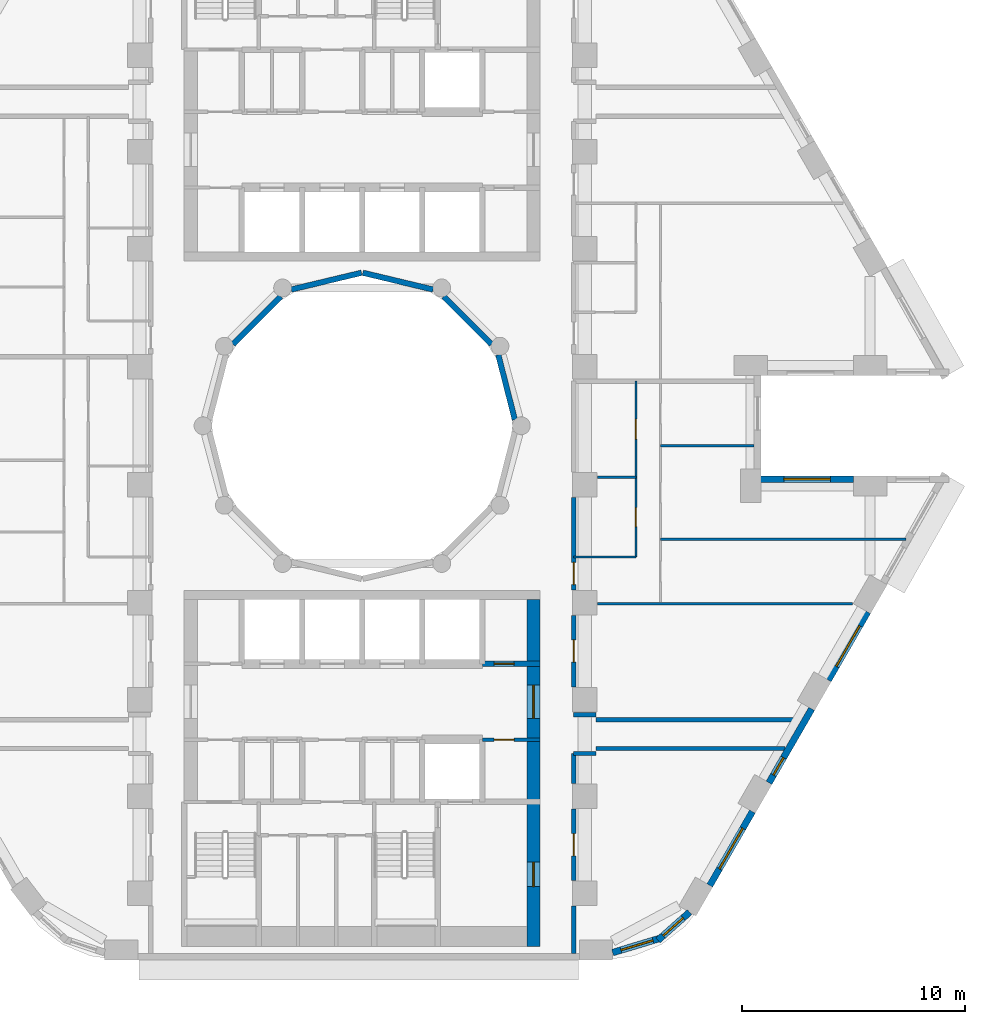
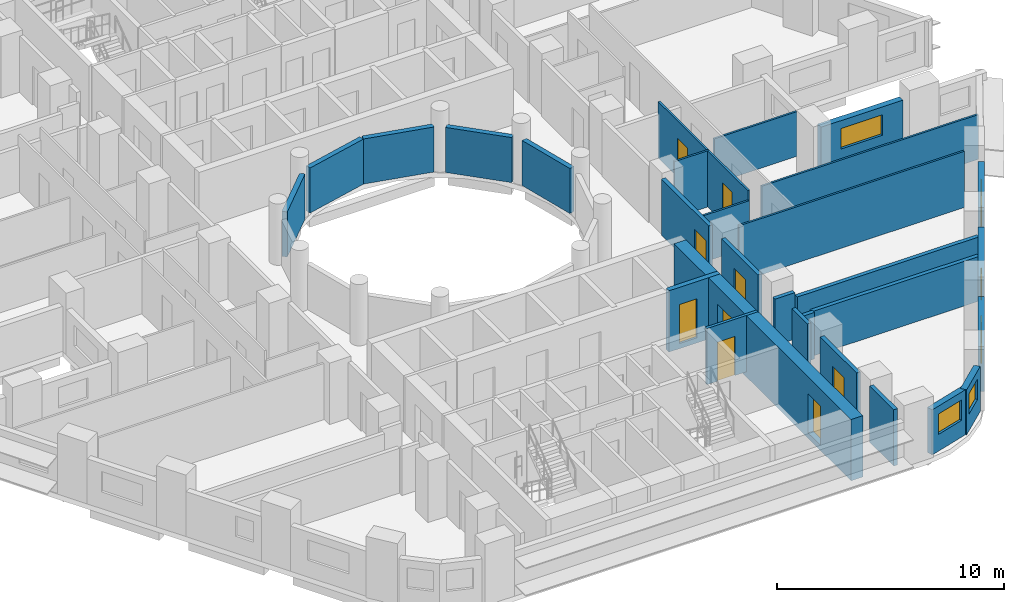
# One storey, part 5 of 13: 29 walls, 9 doors, 6 windows, 15 openings.
"""IFC4 building model written with IfcOpenShell, lengths in metres."""

from ifc_helpers import new_model, si_unit, direction, frame, frame_2d, origin, place, context, subcontext, project, spatial, rectangle, extrude, material, layer, layer_set, type_object, element, fill, save


model = new_model("IFC4")

# Units and contexts
model_context = context("Model", 3, precision=1e-05, world=origin(), true_north=direction((0.0, 1.0)))
body_context = subcontext(model_context, "Body", "Model", "MODEL_VIEW")
ifc_project = project(units=[si_unit("LENGTHUNIT", "METRE"), si_unit("AREAUNIT", "SQUARE_METRE"), si_unit("VOLUMEUNIT", "CUBIC_METRE"), si_unit("PLANEANGLEUNIT", "RADIAN"), si_unit("MASSUNIT", "GRAM", prefix="KILO")], contexts=[model_context])

# Site, building, storey
site_placement = place(None, origin())
site = spatial("IfcSite", under=ifc_project, at=site_placement, CompositionType="ELEMENT")
building_placement = place(site_placement, origin())
building = spatial("IfcBuilding", under=site, at=building_placement, Name="Nakaniwa Court", CompositionType="ELEMENT")
storey_placement = place(building_placement, frame((0.0, 0.0, 48.0)))
storey = spatial("IfcBuildingStorey", under=building, at=storey_placement, Name="L12", CompositionType="ELEMENT", Elevation=48.0)

# Wall
ifc_material_1 = material(Name="Acoustic double stud partition")
ifc_layer_1 = layer(ifc_material_1, 0.199951171875)
ifc_layer_set_1 = layer_set([ifc_layer_1], Name="Acoustic double stud partition")
wall_type_1 = type_object("IfcWallType", Name="Acoustic double stud partition 200", PredefinedType="PARTITIONING", material=ifc_layer_set_1)
wall_1_placement = place(storey_placement, frame((89.5, 56.300048828125, 0.0), z_axis=(0.0, 0.0, 1.0), x_axis=(0.0, 1.0, 0.0)))
element("IfcWall", 1, at=wall_1_placement, inside=storey, type_object=wall_type_1, Name="Partition PW-073", PredefinedType="PARTITIONING", context=body_context, shape_type="SweptSolid", body=[
    extrude(rectangle(XDim=2.133056640625, YDim=0.199951171875, at=frame_2d((1.06640625, 0.0))), origin(), (0.0, 0.0, 1.0), 3.02490234375),
])

# Wall, opening, door
wall_2_placement = place(storey_placement, frame((89.5, 62.782958984375, 0.0), z_axis=(0.0, 0.0, 1.0), x_axis=(0.0, -1.0, 0.0)))
wall_2 = element("IfcWall", 2, at=wall_2_placement, inside=storey, type_object=wall_type_1, Name="Partition PW-074", PredefinedType="PARTITIONING", context=body_context, shape_type="SweptSolid", body=[
    extrude(rectangle(XDim=3.216064453125, YDim=0.199951171875, at=frame_2d((1.60791015625, 0.0))), origin(), (0.0, 0.0, 1.0), 3.02490234375),
])
opening_1_placement = place(wall_2_placement, frame((1.10791015625, 0.0, 0.0)))
opening_1 = element("IfcOpeningElement", 3, at=opening_1_placement, cuts=wall_2, Name="Opening D-02-01", PredefinedType="OPENING", context=body_context, shape_type="SweptSolid", body=[
    extrude(rectangle(XDim=1.0, YDim=2.10009765625, at=frame_2d((0.5, 1.050048828125))), frame((0.0, 0.10986328125, 0.0), z_axis=(0.0, -1.0, 0.0), x_axis=(1.0, 0.0, 0.0)), (0.0, 0.0, 1.0), 0.219970703125),
])
ifc_material_2 = material(Name="Solid core timber door set, black veneer", Category="wood")
door_type_1 = type_object("IfcDoorType", Name="Internal door 1000", OperationType="NOTDEFINED", PredefinedType="DOOR", material=ifc_material_2)
door_1_placement = place(opening_1_placement, origin())
door_1 = element("IfcDoor", 4, at=door_1_placement, inside=storey, type_object=door_type_1, Name="Door D-02-01 L12-031", OperationType="SINGLE_SWING_RIGHT", OverallHeight=2.10009765625, OverallWidth=1.0, PredefinedType="DOOR", context=body_context, shape_type="SweptSolid", body=[
    extrude(rectangle(XDim=1.0, YDim=2.10009765625, at=frame_2d((0.5, 1.050048828125))), frame((0.0, 0.02490234375, 0.0), z_axis=(0.0, -1.0, 0.0), x_axis=(1.0, 0.0, 0.0)), (0.0, 0.0, 1.0), 0.050048828125),
])
fill(opening_1, door_1)

# Wall
wall_3_placement = place(storey_placement, frame((89.5, 63.9169921875, 0.0), z_axis=(0.0, 0.0, 1.0), x_axis=(0.0, 1.0, 0.0)))
element("IfcWall", 5, at=wall_3_placement, inside=storey, type_object=wall_type_1, Name="Partition PW-075", PredefinedType="PARTITIONING", context=body_context, shape_type="SweptSolid", body=[
    extrude(rectangle(XDim=1.361083984375, YDim=0.199951171875, at=frame_2d((0.6806640625, 0.0))), origin(), (0.0, 0.0, 1.0), 3.02490234375),
])

# Wall, opening, door
wall_4_placement = place(storey_placement, frame((89.5, 71.48291015625, 0.0), z_axis=(0.0, 0.0, 1.0), x_axis=(0.0, -1.0, 0.0)))
wall_4 = element("IfcWall", 6, at=wall_4_placement, inside=storey, type_object=wall_type_1, Name="Partition PW-076", PredefinedType="PARTITIONING", context=body_context, shape_type="SweptSolid", body=[
    extrude(rectangle(XDim=3.2158203125, YDim=0.199951171875, at=frame_2d((1.60791015625, 0.0))), origin(), (0.0, 0.0, 1.0), 3.02490234375),
])
opening_2_placement = place(wall_4_placement, frame((1.10791015625, 0.0, 0.0)))
opening_2 = element("IfcOpeningElement", 7, at=opening_2_placement, cuts=wall_4, Name="Opening D-02-05", PredefinedType="OPENING", context=body_context, shape_type="SweptSolid", body=[
    extrude(rectangle(XDim=1.0, YDim=2.10009765625, at=frame_2d((0.5, 1.050048828125))), frame((0.0, 0.10986328125, 0.0), z_axis=(0.0, -1.0, 0.0), x_axis=(1.0, 0.0, 0.0)), (0.0, 0.0, 1.0), 0.219970703125),
])
door_2_placement = place(opening_2_placement, origin())
door_2 = element("IfcDoor", 8, at=door_2_placement, inside=storey, type_object=door_type_1, Name="Door D-02-05 L12-057", OperationType="SINGLE_SWING_RIGHT", OverallHeight=2.10009765625, OverallWidth=1.0, PredefinedType="DOOR", context=body_context, shape_type="SweptSolid", body=[
    extrude(rectangle(XDim=1.0, YDim=2.10009765625, at=frame_2d((0.5, 1.050048828125))), frame((0.0, 0.02490234375, 0.0), z_axis=(0.0, -1.0, 0.0), x_axis=(1.0, 0.0, 0.0)), (0.0, 0.0, 1.0), 0.050048828125),
])
fill(opening_2, door_2)

wall_5_placement = place(storey_placement, frame((89.5, 76.782958984375, 0.0), z_axis=(0.0, 0.0, 1.0), x_axis=(0.0, -1.0, 0.0)))
wall_5 = element("IfcWall", 9, at=wall_5_placement, inside=storey, type_object=wall_type_1, Name="Partition PW-077", PredefinedType="PARTITIONING", context=body_context, shape_type="SweptSolid", body=[
    extrude(rectangle(XDim=4.166015625, YDim=0.199951171875, at=frame_2d((2.0830078125, 0.0))), origin(), (0.0, 0.0, 1.0), 3.02490234375),
])
opening_3_placement = place(wall_5_placement, frame((2.923095703125, 0.0, 0.0)))
opening_3 = element("IfcOpeningElement", 10, at=opening_3_placement, cuts=wall_5, Name="Opening D-01-01", PredefinedType="OPENING", context=body_context, shape_type="SweptSolid", body=[
    extrude(rectangle(XDim=1.0, YDim=2.10009765625, at=frame_2d((0.5, 1.050048828125))), frame((0.0, 0.10986328125, 0.0), z_axis=(0.0, -1.0, 0.0), x_axis=(1.0, 0.0, 0.0)), (0.0, 0.0, 1.0), 0.219970703125),
])
door_type_2 = type_object("IfcDoorType", Name="Flat entrance door 1000", OperationType="NOTDEFINED", PredefinedType="DOOR", material=ifc_material_2)
door_3_placement = place(opening_3_placement, origin())
door_3 = element("IfcDoor", 11, at=door_3_placement, inside=storey, type_object=door_type_2, Name="Door D-01-01 L12-032", OperationType="SINGLE_SWING_LEFT", OverallHeight=2.10009765625, OverallWidth=1.0, PredefinedType="DOOR", context=body_context, shape_type="SweptSolid", body=[
    extrude(rectangle(XDim=1.0, YDim=2.10009765625, at=frame_2d((0.5, 1.050048828125))), frame((0.0, 0.02490234375, 0.0), z_axis=(0.0, -1.0, 0.0), x_axis=(1.0, 0.0, 0.0)), (0.0, 0.0, 1.0), 0.050048828125),
])
fill(opening_3, door_3)

# Walls
wall_6_placement = place(storey_placement, frame((90.5, 65.5, 0.0), z_axis=(0.0, 0.0, 1.0), x_axis=(1.0, 0.0, 0.0)))
element("IfcWall", 12, at=wall_6_placement, inside=storey, type_object=wall_type_1, Name="Partition PW-094", PredefinedType="PARTITIONING", context=body_context, shape_type="SweptSolid", body=[
    extrude(rectangle(XDim=8.494873046875, YDim=0.199951171875, at=frame_2d((4.24755859375, 0.0))), origin(), (0.0, 0.0, 1.0), 2.405029296875),
])
for number, where, z_axis, x_axis, name in (
    (13, (89.5, 65.27490234375, 0.0), (0.0, 0.0, 1.0), (1.0, 0.0, 0.0), "Partition PW-096"),
    (14, (89.5, 67.02490234375, 0.0), (0.0, 0.0, 1.0), (1.0, 0.0, 0.0), "Partition PW-098"),
):
    element("IfcWall", number, at=place(storey_placement, frame(where, z_axis=z_axis, x_axis=x_axis)), inside=storey, type_object=wall_type_1, Name=name, PredefinedType="PARTITIONING", context=body_context, shape_type="SweptSolid", body=[
        extrude(rectangle(XDim=1.0, YDim=0.199951171875, at=frame_2d((0.5, 0.0))), origin(), (0.0, 0.0, 1.0), 2.5048828125),
    ])
wall_7_placement = place(storey_placement, frame((90.5, 66.800048828125, 0.0), z_axis=(0.0, 0.0, 1.0), x_axis=(1.0, 0.0, 0.0)))
element("IfcWall", 15, at=wall_7_placement, inside=storey, type_object=wall_type_1, Name="Partition PW-100", PredefinedType="PARTITIONING", context=body_context, shape_type="SweptSolid", body=[
    extrude(rectangle(XDim=9.245361328125, YDim=0.199951171875, at=frame_2d((4.62255859375, 0.0))), origin(), (0.0, 0.0, 1.0), 2.405029296875),
])

# Wall, opening, window
ifc_material_3 = material(Name="Charcoal ceramic cladding")
ifc_layer_2 = layer(ifc_material_3, 0.02, Name="Ceramic cladding")
ifc_material_4 = material(Name="Ventilated air cavity")
ifc_layer_3 = layer(ifc_material_4, 0.04, ventilated=True, Name="Ventilated cavity")
ifc_material_5 = material(Name="Mineral wool insulation")
ifc_layer_4 = layer(ifc_material_5, 0.1, Name="Insulation")
ifc_material_6 = material(Name="Cement bonded sheathing board")
ifc_layer_5 = layer(ifc_material_6, 0.012, Name="Sheathing")
ifc_material_7 = material(Name="Cold-formed galvanised stud frame with mineral wool infill")
ifc_layer_6 = layer(ifc_material_7, 0.1, Name="Stud frame")
ifc_material_8 = material(Name="Fire-rated gypsum plasterboard lining")
ifc_layer_7 = layer(ifc_material_8, 0.028, Name="Lining")
ifc_layer_set_2 = layer_set([ifc_layer_2, ifc_layer_3, ifc_layer_4, ifc_layer_5, ifc_layer_6, ifc_layer_7], Name="Charcoal ceramic faced external wall system")
wall_type_2 = type_object("IfcWallType", Name="Black ceramic faced external wall 300", PredefinedType="SOLIDWALL", material=ifc_layer_set_2)
wall_8_placement = place(storey_placement, frame((91.25341796875, 56.331298828125, 0.0), z_axis=(0.0, 0.0, 1.0), x_axis=(0.957433631901, 0.288653495569, 0.0)))
wall_8 = element("IfcWall", 16, at=wall_8_placement, inside=storey, type_object=wall_type_2, Name="L12 external wall 27", PredefinedType="SOLIDWALL", context=body_context, shape_type="SweptSolid", body=[
    extrude(rectangle(XDim=2.212646484375, YDim=0.300048828125, at=frame_2d((1.1064453125, 0.0))), origin(), (0.0, 0.0, 1.0), 2.425048828125),
])
opening_4_placement = place(wall_8_placement, frame((0.394287109375, 0.0, 0.89990234375)))
opening_4 = element("IfcOpeningElement", 17, at=opening_4_placement, cuts=wall_8, Name="Opening W5.26", PredefinedType="OPENING", context=body_context, shape_type="SweptSolid", body=[
    extrude(rectangle(XDim=1.5, YDim=1.10009765625, at=frame_2d((0.75, 0.550048828125))), frame((0.0, 0.159912109375, 0.0), z_axis=(0.0, -1.0, 0.0), x_axis=(1.0, 0.0, 0.0)), (0.0, 0.0, 1.0), 0.320068359375),
])
ifc_material_9 = material(Name="Black anodised aluminium frame with dark low-E laminated double glazing", Category="aluminium")
window_type_1 = type_object("IfcWindowType", Name="Dark glass window 1500x1100 sill 900", PartitioningType="SINGLE_PANEL", PredefinedType="WINDOW", material=ifc_material_9)
window_1_placement = place(opening_4_placement, origin())
window_1 = element("IfcWindow", 18, at=window_1_placement, inside=storey, type_object=window_type_1, Name="L12 habitable room window 27-0", OverallHeight=1.10009765625, OverallWidth=1.5, PartitioningType="SINGLE_PANEL", PredefinedType="WINDOW", context=body_context, shape_type="SweptSolid", body=[
    extrude(rectangle(XDim=1.5, YDim=1.10009765625, at=frame_2d((0.75, 0.550048828125))), frame((0.0, 0.030029296875, 0.0), z_axis=(0.0, -1.0, 0.0), x_axis=(1.0, 0.0, 0.0)), (0.0, 0.0, 1.0), 0.06005859375),
])
fill(opening_4, window_1)

wall_9_placement = place(storey_placement, frame((93.288818359375, 56.882568359375, 0.0), z_axis=(0.0, 0.0, 1.0), x_axis=(0.746941556212, 0.664889698825, 0.0)))
wall_9 = element("IfcWall", 19, at=wall_9_placement, inside=storey, type_object=wall_type_2, Name="L12 external wall 28", PredefinedType="SOLIDWALL", context=body_context, shape_type="SweptSolid", body=[
    extrude(rectangle(XDim=1.9013671875, YDim=0.300048828125, at=frame_2d((0.95068359375, 0.0))), origin(), (0.0, 0.0, 1.0), 2.425048828125),
])
opening_5_placement = place(wall_9_placement, frame((0.31005859375, 0.0, 0.89990234375)))
opening_5 = element("IfcOpeningElement", 20, at=opening_5_placement, cuts=wall_9, Name="Opening W6.27", PredefinedType="OPENING", context=body_context, shape_type="SweptSolid", body=[
    extrude(rectangle(XDim=1.199951171875, YDim=1.10009765625, at=frame_2d((0.60009765625, 0.550048828125))), frame((0.0, 0.159912109375, 0.0), z_axis=(0.0, -1.0, 0.0), x_axis=(1.0, 0.0, 0.0)), (0.0, 0.0, 1.0), 0.320068359375),
])
window_type_2 = type_object("IfcWindowType", Name="Dark glass window 1200x1100 sill 900", PartitioningType="SINGLE_PANEL", PredefinedType="WINDOW", material=ifc_material_9)
window_2_placement = place(opening_5_placement, origin())
window_2 = element("IfcWindow", 21, at=window_2_placement, inside=storey, type_object=window_type_2, Name="L12 habitable room window 28-0", OverallHeight=1.10009765625, OverallWidth=1.199951171875, PartitioningType="SINGLE_PANEL", PredefinedType="WINDOW", context=body_context, shape_type="SweptSolid", body=[
    extrude(rectangle(XDim=1.199951171875, YDim=1.10009765625, at=frame_2d((0.60009765625, 0.550048828125))), frame((0.0, 0.030029296875, 0.0), z_axis=(0.0, -1.0, 0.0), x_axis=(1.0, 0.0, 0.0)), (0.0, 0.0, 1.0), 0.06005859375),
])
fill(opening_5, window_2)

wall_10_placement = place(storey_placement, frame((95.615234375, 59.346435546875, 0.0), z_axis=(0.0, 0.0, 1.0), x_axis=(0.499974163209, 0.866040320149, 0.0)))
wall_10 = element("IfcWall", 22, at=wall_10_placement, inside=storey, type_object=wall_type_2, Name="L12 external wall 29", PredefinedType="SOLIDWALL", context=body_context, shape_type="SweptSolid", body=[
    extrude(rectangle(XDim=3.834228515625, YDim=0.300048828125, at=frame_2d((1.9169921875, 0.0))), origin(), (0.0, 0.0, 1.0), 2.425048828125),
])
opening_6_placement = place(wall_10_placement, frame((0.8671875, 0.0, 0.89990234375)))
opening_6 = element("IfcOpeningElement", 23, at=opening_6_placement, cuts=wall_10, Name="Opening W7.28", PredefinedType="OPENING", context=body_context, shape_type="SweptSolid", body=[
    extrude(rectangle(XDim=2.10009765625, YDim=1.10009765625, at=frame_2d((1.050048828125, 0.550048828125))), frame((0.0, 0.159912109375, 0.0), z_axis=(0.0, -1.0, 0.0), x_axis=(1.0, 0.0, 0.0)), (0.0, 0.0, 1.0), 0.320068359375),
])
window_type_3 = type_object("IfcWindowType", Name="Dark glass window 2100x1100 sill 900", PartitioningType="SINGLE_PANEL", PredefinedType="WINDOW", material=ifc_material_9)
window_3_placement = place(opening_6_placement, origin())
window_3 = element("IfcWindow", 24, at=window_3_placement, inside=storey, type_object=window_type_3, Name="L12 habitable room window 29-0", OverallHeight=1.10009765625, OverallWidth=2.10009765625, PartitioningType="SINGLE_PANEL", PredefinedType="WINDOW", context=body_context, shape_type="SweptSolid", body=[
    extrude(rectangle(XDim=2.10009765625, YDim=1.10009765625, at=frame_2d((1.050048828125, 0.550048828125))), frame((0.0, 0.030029296875, 0.0), z_axis=(0.0, -1.0, 0.0), x_axis=(1.0, 0.0, 0.0)), (0.0, 0.0, 1.0), 0.06005859375),
])
fill(opening_6, window_3)

wall_11_placement = place(storey_placement, frame((98.2783203125, 63.958984375, 0.0), z_axis=(0.0, 0.0, 1.0), x_axis=(0.500001735503, 0.866024401789, 0.0)))
wall_11 = element("IfcWall", 25, at=wall_11_placement, inside=storey, type_object=wall_type_2, Name="L12 external wall 30", PredefinedType="SOLIDWALL", context=body_context, shape_type="SweptSolid", body=[
    extrude(rectangle(XDim=3.833984375, YDim=0.300048828125, at=frame_2d((1.9169921875, 0.0))), origin(), (0.0, 0.0, 1.0), 2.425048828125),
])
opening_7_placement = place(wall_11_placement, frame((0.402587890625, 0.0, 0.89990234375)))
opening_7 = element("IfcOpeningElement", 26, at=opening_7_placement, cuts=wall_11, Name="Opening W9.29", PredefinedType="OPENING", context=body_context, shape_type="SweptSolid", body=[
    extrude(rectangle(XDim=0.89990234375, YDim=1.10009765625, at=frame_2d((0.449951171875, 0.550048828125))), frame((0.0, 0.159912109375, 0.0), z_axis=(0.0, -1.0, 0.0), x_axis=(1.0, 0.0, 0.0)), (0.0, 0.0, 1.0), 0.320068359375),
])
window_type_4 = type_object("IfcWindowType", Name="Dark glass window 900x1100 sill 900", PartitioningType="SINGLE_PANEL", PredefinedType="WINDOW", material=ifc_material_9)
window_4_placement = place(opening_7_placement, origin())
window_4 = element("IfcWindow", 27, at=window_4_placement, inside=storey, type_object=window_type_4, Name="L12 habitable room window 30-0", OverallHeight=1.10009765625, OverallWidth=0.89990234375, PartitioningType="SINGLE_PANEL", PredefinedType="WINDOW", context=body_context, shape_type="SweptSolid", body=[
    extrude(rectangle(XDim=0.89990234375, YDim=1.10009765625, at=frame_2d((0.449951171875, 0.550048828125))), frame((0.0, 0.030029296875, 0.0), z_axis=(0.0, -1.0, 0.0), x_axis=(1.0, 0.0, 0.0)), (0.0, 0.0, 1.0), 0.06005859375),
])
fill(opening_7, window_4)

wall_12_placement = place(storey_placement, frame((100.94140625, 68.5712890625, 0.0), z_axis=(0.0, 0.0, 1.0), x_axis=(0.499977402622, 0.866038449993, 0.0)))
wall_12 = element("IfcWall", 28, at=wall_12_placement, inside=storey, type_object=wall_type_2, Name="L12 external wall 31", PredefinedType="SOLIDWALL", context=body_context, shape_type="SweptSolid", body=[
    extrude(rectangle(XDim=3.536865234375, YDim=0.300048828125, at=frame_2d((1.7685546875, 0.0))), origin(), (0.0, 0.0, 1.0), 2.425048828125),
])
opening_8_placement = place(wall_12_placement, frame((0.718505859375, 0.0, 0.89990234375)))
opening_8 = element("IfcOpeningElement", 29, at=opening_8_placement, cuts=wall_12, Name="Opening W7.30", PredefinedType="OPENING", context=body_context, shape_type="SweptSolid", body=[
    extrude(rectangle(XDim=2.10009765625, YDim=1.10009765625, at=frame_2d((1.050048828125, 0.550048828125))), frame((0.0, 0.159912109375, 0.0), z_axis=(0.0, -1.0, 0.0), x_axis=(1.0, 0.0, 0.0)), (0.0, 0.0, 1.0), 0.320068359375),
])
window_5_placement = place(opening_8_placement, origin())
window_5 = element("IfcWindow", 30, at=window_5_placement, inside=storey, type_object=window_type_3, Name="L12 habitable room window 31-0", OverallHeight=1.10009765625, OverallWidth=2.10009765625, PartitioningType="SINGLE_PANEL", PredefinedType="WINDOW", context=body_context, shape_type="SweptSolid", body=[
    extrude(rectangle(XDim=2.10009765625, YDim=1.10009765625, at=frame_2d((1.050048828125, 0.550048828125))), frame((0.0, 0.030029296875, 0.0), z_axis=(0.0, -1.0, 0.0), x_axis=(1.0, 0.0, 0.0)), (0.0, 0.0, 1.0), 0.06005859375),
])
fill(opening_8, window_5)

wall_13_placement = place(storey_placement, frame((102.076904296875, 77.60009765625, 0.0), z_axis=(0.0, 0.0, 1.0), x_axis=(-1.0, 0.0, 0.0)))
wall_13 = element("IfcWall", 31, at=wall_13_placement, inside=storey, type_object=wall_type_2, Name="L12 external wall 34", PredefinedType="SOLIDWALL", context=body_context, shape_type="SweptSolid", body=[
    extrude(rectangle(XDim=4.172607421875, YDim=0.300048828125, at=frame_2d((2.08642578125, 0.0))), origin(), (0.0, 0.0, 1.0), 2.425048828125),
])
opening_9_placement = place(wall_13_placement, frame((1.036376953125, 0.0, 0.89990234375)))
opening_9 = element("IfcOpeningElement", 32, at=opening_9_placement, cuts=wall_13, Name="Opening W7.34", PredefinedType="OPENING", context=body_context, shape_type="SweptSolid", body=[
    extrude(rectangle(XDim=2.10009765625, YDim=1.10009765625, at=frame_2d((1.050048828125, 0.550048828125))), frame((0.0, 0.159912109375, 0.0), z_axis=(0.0, -1.0, 0.0), x_axis=(1.0, 0.0, 0.0)), (0.0, 0.0, 1.0), 0.320068359375),
])
window_6_placement = place(opening_9_placement, origin())
window_6 = element("IfcWindow", 33, at=window_6_placement, inside=storey, type_object=window_type_3, Name="L12 living window 34-0", OverallHeight=1.10009765625, OverallWidth=2.10009765625, PartitioningType="SINGLE_PANEL", PredefinedType="WINDOW", context=body_context, shape_type="SweptSolid", body=[
    extrude(rectangle(XDim=2.10009765625, YDim=1.10009765625, at=frame_2d((1.050048828125, 0.550048828125))), frame((0.0, 0.030029296875, 0.0), z_axis=(0.0, -1.0, 0.0), x_axis=(1.0, 0.0, 0.0)), (0.0, 0.0, 1.0), 0.06005859375),
])
fill(opening_9, window_6)

# Wall, opening, door
ifc_material_10 = material(Name="Blockwork partition", Category="masonry")
ifc_layer_8 = layer(ifc_material_10, 0.14990234375)
ifc_layer_set_3 = layer_set([ifc_layer_8], Name="Blockwork partition")
wall_type_3 = type_object("IfcWallType", Name="Blockwork partition 150", PredefinedType="PARTITIONING", material=ifc_layer_set_3)
wall_14_placement = place(storey_placement, frame((88.0, 65.89990234375, 0.0), z_axis=(0.0, 0.0, 1.0), x_axis=(-1.0, 0.0, 0.0)))
wall_14 = element("IfcWall", 34, at=wall_14_placement, inside=storey, type_object=wall_type_3, Name="Partition PW-054", PredefinedType="PARTITIONING", context=body_context, shape_type="SweptSolid", body=[
    extrude(rectangle(XDim=2.60302734375, YDim=0.14990234375, at=frame_2d((1.301513671875, 0.0))), origin(), (0.0, 0.0, 1.0), 3.02490234375),
])
opening_10_placement = place(wall_14_placement, frame((1.175048828125, 0.0, 0.0)))
opening_10 = element("IfcOpeningElement", 35, at=opening_10_placement, cuts=wall_14, Name="Opening D-05-17", PredefinedType="OPENING", context=body_context, shape_type="SweptSolid", body=[
    extrude(rectangle(XDim=0.89990234375, YDim=2.10009765625, at=frame_2d((0.449951171875, 1.050048828125))), frame((0.0, 0.0849609375, 0.0), z_axis=(0.0, -1.0, 0.0), x_axis=(1.0, 0.0, 0.0)), (0.0, 0.0, 1.0), 0.169921875),
])
ifc_material_11 = material(Name="Fire rated steel door set", Category="steel")
door_type_3 = type_object("IfcDoorType", Name="Service room door 900", OperationType="NOTDEFINED", PredefinedType="DOOR", material=ifc_material_11)
door_4_placement = place(opening_10_placement, origin())
door_4 = element("IfcDoor", 36, at=door_4_placement, inside=storey, type_object=door_type_3, Name="Door D-05-17 L12-024", OperationType="SINGLE_SWING_LEFT", OverallHeight=2.10009765625, OverallWidth=0.89990234375, PredefinedType="DOOR", context=body_context, shape_type="SweptSolid", body=[
    extrude(rectangle(XDim=0.89990234375, YDim=2.10009765625, at=frame_2d((0.449951171875, 1.050048828125))), frame((0.0, 0.02490234375, 0.0), z_axis=(0.0, -1.0, 0.0), x_axis=(1.0, 0.0, 0.0)), (0.0, 0.0, 1.0), 0.050048828125),
])
fill(opening_10, door_4)

# Walls
ifc_layer_9 = layer(ifc_material_3, 0.02, Name="Ceramic cladding")
ifc_layer_10 = layer(ifc_material_4, 0.04, ventilated=True, Name="Ventilated cavity")
ifc_layer_11 = layer(ifc_material_5, 0.075, Name="Insulation")
ifc_layer_12 = layer(ifc_material_6, 0.012, Name="Sheathing")
ifc_layer_13 = layer(ifc_material_7, 0.075, Name="Stud frame")
ifc_layer_14 = layer(ifc_material_8, 0.028, Name="Lining")
ifc_layer_set_4 = layer_set([ifc_layer_9, ifc_layer_10, ifc_layer_11, ifc_layer_12, ifc_layer_13, ifc_layer_14], Name="Charcoal ceramic faced external wall system")
wall_type_4 = type_object("IfcWallType", Name="Charcoal ceramic faced well wall 250", PredefinedType="SOLIDWALL", material=ifc_layer_set_4)
wall_15_placement = place(storey_placement, frame((74.1943359375, 83.660888671875, 0.0), z_axis=(0.0, 0.0, 1.0), x_axis=(0.707106781187, 0.707106781187, 0.0)))
element("IfcWall", 37, at=wall_15_placement, inside=storey, type_object=wall_type_4, Name="L12 external wall 43", PredefinedType="SOLIDWALL", context=body_context, shape_type="SweptSolid", body=[
    extrude(rectangle(XDim=3.033203125, YDim=0.25, at=frame_2d((1.5166015625, 0.0))), origin(), (0.0, 0.0, 1.0), 2.425048828125),
])
for number, where, z_axis, x_axis, name in (
    (38, (76.813720703125, 86.119384765625, 0.0), (0.0, 0.0, 1.0), (0.972773113459, 0.231759508395, 0.0), "L12 external wall 44"),
    (39, (80.029052734375, 86.87158203125, 0.0), (0.0, 0.0, 1.0), (0.972773113459, -0.231759508395, 0.0), "L12 external wall 45"),
):
    element("IfcWall", number, at=place(storey_placement, frame(where, z_axis=z_axis, x_axis=x_axis)), inside=storey, type_object=wall_type_4, Name=name, PredefinedType="SOLIDWALL", context=body_context, shape_type="SweptSolid", body=[
        extrude(rectangle(XDim=3.24560546875, YDim=0.25, at=frame_2d((1.622802734375, 0.0))), origin(), (0.0, 0.0, 1.0), 2.425048828125),
    ])
wall_16_placement = place(storey_placement, frame((83.660888671875, 85.8056640625, 0.0), z_axis=(0.0, 0.0, 1.0), x_axis=(0.707106781187, -0.707106781187, 0.0)))
element("IfcWall", 40, at=wall_16_placement, inside=storey, type_object=wall_type_4, Name="L12 external wall 46", PredefinedType="SOLIDWALL", context=body_context, shape_type="SweptSolid", body=[
    extrude(rectangle(XDim=3.033203125, YDim=0.25, at=frame_2d((1.5166015625, 0.0))), origin(), (0.0, 0.0, 1.0), 2.425048828125),
])
wall_17_placement = place(storey_placement, frame((86.11669921875, 83.186767578125, 0.0), z_axis=(0.0, 0.0, 1.0), x_axis=(0.247055971283, -0.969001211069, 0.0)))
element("IfcWall", 41, at=wall_17_placement, inside=storey, type_object=wall_type_4, Name="L12 external wall 47", PredefinedType="SOLIDWALL", context=body_context, shape_type="SweptSolid", body=[
    extrude(rectangle(XDim=3.010009765625, YDim=0.25, at=frame_2d((1.5048828125, 0.0))), origin(), (0.0, 0.0, 1.0), 2.425048828125),
])

# Wall, openings, doors
ifc_material_12 = material(Name="Concrete C100/115", Category="concrete")
ifc_layer_15 = layer(ifc_material_12, 0.60009765625)
ifc_layer_set_5 = layer_set([ifc_layer_15], Name="Concrete C100/115")
wall_type_5 = type_object("IfcWallType", Name="Concrete core side wall 600 C100", PredefinedType="SHEAR", material=ifc_layer_set_5)
wall_18_placement = place(storey_placement, frame((87.699951171875, 72.199951171875, -0.27490234375), z_axis=(0.0, 0.0, 1.0), x_axis=(0.0, -1.0, 0.0)))
wall_18 = element("IfcWall", 42, at=wall_18_placement, inside=storey, type_object=wall_type_5, Name="Core wall SW-51", PredefinedType="SHEAR", context=body_context, shape_type="SweptSolid", body=[
    extrude(rectangle(XDim=15.599853515625, YDim=0.60009765625, at=frame_2d((7.7998046875, 0.0))), origin(), (0.0, 0.0, 1.0), 3.2998046875),
])
opening_11_placement = place(wall_18_placement, frame((3.85009765625, 0.0, 0.27490234375)))
opening_11 = element("IfcOpeningElement", 43, at=opening_11_placement, cuts=wall_18, Name="Opening D-07-03", PredefinedType="OPENING", context=body_context, shape_type="SweptSolid", body=[
    extrude(rectangle(XDim=1.5, YDim=2.10009765625, at=frame_2d((0.75, 1.050048828125))), frame((0.0, 0.31005859375, 0.0), z_axis=(0.0, -1.0, 0.0), x_axis=(1.0, 0.0, 0.0)), (0.0, 0.0, 1.0), 0.6201171875),
])
opening_12_placement = place(wall_18_placement, frame((11.800048828125, 0.0, 0.27490234375)))
opening_12 = element("IfcOpeningElement", 44, at=opening_12_placement, cuts=wall_18, Name="Opening D-10-02", PredefinedType="OPENING", context=body_context, shape_type="SweptSolid", body=[
    extrude(rectangle(XDim=1.10009765625, YDim=2.10009765625, at=frame_2d((0.550048828125, 1.050048828125))), frame((0.0, 0.31005859375, 0.0), z_axis=(0.0, -1.0, 0.0), x_axis=(1.0, 0.0, 0.0)), (0.0, 0.0, 1.0), 0.6201171875),
])
door_type_4 = type_object("IfcDoorType", Name="Firefighting lobby door 1100", OperationType="NOTDEFINED", PredefinedType="DOOR", material=ifc_material_11)
door_5_placement = place(opening_12_placement, origin())
door_5 = element("IfcDoor", 45, at=door_5_placement, inside=storey, type_object=door_type_4, Name="Door D-10-02 L12-065", OperationType="SINGLE_SWING_RIGHT", OverallHeight=2.10009765625, OverallWidth=1.10009765625, PredefinedType="DOOR", context=body_context, shape_type="SweptSolid", body=[
    extrude(rectangle(XDim=1.10009765625, YDim=2.10009765625, at=frame_2d((0.550048828125, 1.050048828125))), frame((0.0, 0.02490234375, 0.0), z_axis=(0.0, -1.0, 0.0), x_axis=(1.0, 0.0, 0.0)), (0.0, 0.0, 1.0), 0.050048828125),
])
fill(opening_12, door_5)
ifc_material_13 = material(Name="Glazed fire rated steel double door set", Category="steel")
door_type_5 = type_object("IfcDoorType", Name="Lobby double door 1500", OperationType="NOTDEFINED", PredefinedType="DOOR", material=ifc_material_13)
door_6_placement = place(opening_11_placement, origin())
door_6 = element("IfcDoor", 46, at=door_6_placement, inside=storey, type_object=door_type_5, Name="Door D-07-03 L12-063", OperationType="DOUBLE_DOOR_SINGLE_SWING", OverallHeight=2.10009765625, OverallWidth=1.5, PredefinedType="DOOR", context=body_context, shape_type="SweptSolid", body=[
    extrude(rectangle(XDim=1.5, YDim=2.10009765625, at=frame_2d((0.75, 1.050048828125))), frame((0.0, 0.02490234375, 0.0), z_axis=(0.0, -1.0, 0.0), x_axis=(1.0, 0.0, 0.0)), (0.0, 0.0, 1.0), 0.050048828125),
])
fill(opening_11, door_6)

# Wall, opening, door
ifc_layer_16 = layer(ifc_material_12, 0.25)
ifc_layer_set_6 = layer_set([ifc_layer_16], Name="Concrete C100/115")
wall_type_6 = type_object("IfcWallType", Name="Concrete shaft wall 250 C100", PredefinedType="SHEAR", material=ifc_layer_set_6)
wall_19_placement = place(storey_placement, frame((85.39990234375, 69.300048828125, -0.27490234375), z_axis=(0.0, 0.0, 1.0), x_axis=(1.0, 0.0, 0.0)))
wall_19 = element("IfcWall", 47, at=wall_19_placement, inside=storey, type_object=wall_type_6, Name="Core wall SW-50", PredefinedType="SHEAR", context=body_context, shape_type="SweptSolid", body=[
    extrude(rectangle(XDim=2.60009765625, YDim=0.25, at=frame_2d((1.300048828125, 0.0))), origin(), (0.0, 0.0, 1.0), 3.2998046875),
])
opening_13_placement = place(wall_19_placement, frame((0.52490234375, 0.0, 0.27490234375)))
opening_13 = element("IfcOpeningElement", 48, at=opening_13_placement, cuts=wall_19, Name="Opening D-05-12", PredefinedType="OPENING", context=body_context, shape_type="SweptSolid", body=[
    extrude(rectangle(XDim=0.89990234375, YDim=2.10009765625, at=frame_2d((0.449951171875, 1.050048828125))), frame((0.0, 0.135009765625, 0.0), z_axis=(0.0, -1.0, 0.0), x_axis=(1.0, 0.0, 0.0)), (0.0, 0.0, 1.0), 0.27001953125),
])
door_7_placement = place(opening_13_placement, origin())
door_7 = element("IfcDoor", 49, at=door_7_placement, inside=storey, type_object=door_type_3, Name="Door D-05-12 L12-017", OperationType="SINGLE_SWING_RIGHT", OverallHeight=2.10009765625, OverallWidth=0.89990234375, PredefinedType="DOOR", context=body_context, shape_type="SweptSolid", body=[
    extrude(rectangle(XDim=0.89990234375, YDim=2.10009765625, at=frame_2d((0.449951171875, 1.050048828125))), frame((0.0, 0.02490234375, 0.0), z_axis=(0.0, -1.0, 0.0), x_axis=(1.0, 0.0, 0.0)), (0.0, 0.0, 1.0), 0.050048828125),
])
fill(opening_13, door_7)

# Walls
ifc_material_14 = material(Name="Single stud plasterboard partition")
ifc_layer_17 = layer(ifc_material_14, 0.10009765625)
ifc_layer_set_7 = layer_set([ifc_layer_17], Name="Single stud plasterboard partition")
wall_type_7 = type_object("IfcWallType", Name="Single stud plasterboard partition 100", PredefinedType="PARTITIONING", material=ifc_layer_set_7)
wall_20_placement = place(storey_placement, frame((90.570068359375, 77.69091796875, 0.0), z_axis=(0.0, 0.0, 1.0), x_axis=(1.0, 0.0, 0.0)))
element("IfcWall", 50, at=wall_20_placement, inside=storey, type_object=wall_type_7, Name="Partition PW-113", PredefinedType="PARTITIONING", context=body_context, shape_type="SweptSolid", body=[
    extrude(rectangle(XDim=1.72998046875, YDim=0.10009765625, at=frame_2d((0.864990234375, 0.0))), origin(), (0.0, 0.0, 1.0), 3.02490234375),
])
wall_21_placement = place(storey_placement, frame((89.5, 74.10009765625, 0.0), z_axis=(0.0, 0.0, 1.0), x_axis=(1.0, 0.0, 0.0)))
element("IfcWall", 51, at=wall_21_placement, inside=storey, type_object=wall_type_7, Name="Partition PW-115", PredefinedType="PARTITIONING", context=body_context, shape_type="SweptSolid", body=[
    extrude(rectangle(XDim=2.800048828125, YDim=0.10009765625, at=frame_2d((1.39990234375, 0.0))), origin(), (0.0, 0.0, 1.0), 2.5048828125),
])

# Wall, openings, doors
wall_22_placement = place(storey_placement, frame((92.300048828125, 74.10009765625, 0.0), z_axis=(0.0, 0.0, 1.0), x_axis=(0.0, 1.0, 0.0)))
wall_22 = element("IfcWall", 52, at=wall_22_placement, inside=storey, type_object=wall_type_7, Name="Partition PW-116", PredefinedType="PARTITIONING", context=body_context, shape_type="SweptSolid", body=[
    extrude(rectangle(XDim=7.89990234375, YDim=0.10009765625, at=frame_2d((3.949951171875, 0.0))), origin(), (0.0, 0.0, 1.0), 3.02490234375),
])
opening_14_placement = place(wall_22_placement, frame((1.3701171875, 0.0, 0.0)))
opening_14 = element("IfcOpeningElement", 53, at=opening_14_placement, cuts=wall_22, Name="Opening D-03-01", PredefinedType="OPENING", context=body_context, shape_type="SweptSolid", body=[
    extrude(rectangle(XDim=0.85009765625, YDim=2.10009765625, at=frame_2d((0.425048828125, 1.050048828125))), frame((0.0, 0.06005859375, 0.0), z_axis=(0.0, -1.0, 0.0), x_axis=(1.0, 0.0, 0.0)), (0.0, 0.0, 1.0), 0.1201171875),
])
opening_15_placement = place(wall_22_placement, frame((5.294921875, 0.0, 0.0)))
opening_15 = element("IfcOpeningElement", 54, at=opening_15_placement, cuts=wall_22, Name="Opening D-33-01", PredefinedType="OPENING", context=body_context, shape_type="SweptSolid", body=[
    extrude(rectangle(XDim=0.89990234375, YDim=2.10009765625, at=frame_2d((0.449951171875, 1.050048828125))), frame((0.0, 0.06005859375, 0.0), z_axis=(0.0, -1.0, 0.0), x_axis=(1.0, 0.0, 0.0)), (0.0, 0.0, 1.0), 0.1201171875),
])
ifc_material_15 = material(Name="Moisture sealed timber door set", Category="wood")
door_type_6 = type_object("IfcDoorType", Name="Bathroom door 850", OperationType="NOTDEFINED", PredefinedType="DOOR", material=ifc_material_15)
door_8_placement = place(opening_14_placement, origin())
door_8 = element("IfcDoor", 55, at=door_8_placement, inside=storey, type_object=door_type_6, Name="Door D-03-01 L12-033", OperationType="SINGLE_SWING_RIGHT", OverallHeight=2.10009765625, OverallWidth=0.85009765625, PredefinedType="DOOR", context=body_context, shape_type="SweptSolid", body=[
    extrude(rectangle(XDim=0.85009765625, YDim=2.10009765625, at=frame_2d((0.425048828125, 1.050048828125))), frame((0.0, 0.02490234375, 0.0), z_axis=(0.0, -1.0, 0.0), x_axis=(1.0, 0.0, 0.0)), (0.0, 0.0, 1.0), 0.050048828125),
])
fill(opening_14, door_8)
door_type_7 = type_object("IfcDoorType", Name="Internal door 900", OperationType="NOTDEFINED", PredefinedType="DOOR", material=ifc_material_2)
door_9_placement = place(opening_15_placement, origin())
door_9 = element("IfcDoor", 56, at=door_9_placement, inside=storey, type_object=door_type_7, Name="Door D-33-01 L12-034", OperationType="SINGLE_SWING_LEFT", OverallHeight=2.10009765625, OverallWidth=0.89990234375, PredefinedType="DOOR", context=body_context, shape_type="SweptSolid", body=[
    extrude(rectangle(XDim=0.89990234375, YDim=2.10009765625, at=frame_2d((0.449951171875, 1.050048828125))), frame((0.0, 0.02490234375, 0.0), z_axis=(0.0, -1.0, 0.0), x_axis=(1.0, 0.0, 0.0)), (0.0, 0.0, 1.0), 0.050048828125),
])
fill(opening_15, door_9)

# Walls
wall_23_placement = place(storey_placement, frame((90.570068359375, 72.0, 0.0), z_axis=(0.0, 0.0, 1.0), x_axis=(1.0, 0.0, 0.0)))
element("IfcWall", 57, at=wall_23_placement, inside=storey, type_object=wall_type_7, Name="Partition PW-121", PredefinedType="PARTITIONING", context=body_context, shape_type="SweptSolid", body=[
    extrude(rectangle(XDim=11.461669921875, YDim=0.10009765625, at=frame_2d((5.73095703125, 0.0))), origin(), (0.0, 0.0, 1.0), 3.02490234375),
])
wall_24_placement = place(storey_placement, frame((93.39990234375, 74.903076171875, 0.0), z_axis=(0.0, 0.0, 1.0), x_axis=(1.0, 0.0, 0.0)))
element("IfcWall", 58, at=wall_24_placement, inside=storey, type_object=wall_type_7, Name="Partition PW-122", PredefinedType="PARTITIONING", context=body_context, shape_type="SweptSolid", body=[
    extrude(rectangle(XDim=11.02392578125, YDim=0.10009765625, at=frame_2d((5.511962890625, 0.0))), origin(), (0.0, 0.0, 1.0), 2.405029296875),
])
wall_25_placement = place(storey_placement, frame((93.39990234375, 79.096923828125, 0.0), z_axis=(0.0, 0.0, 1.0), x_axis=(1.0, 0.0, 0.0)))
element("IfcWall", 59, at=wall_25_placement, inside=storey, type_object=wall_type_7, Name="Partition PW-123", PredefinedType="PARTITIONING", context=body_context, shape_type="SweptSolid", body=[
    extrude(rectangle(XDim=4.20849609375, YDim=0.10009765625, at=frame_2d((2.104248046875, 0.0))), origin(), (0.0, 0.0, 1.0), 2.405029296875),
])

save(model, "model.ifc")
